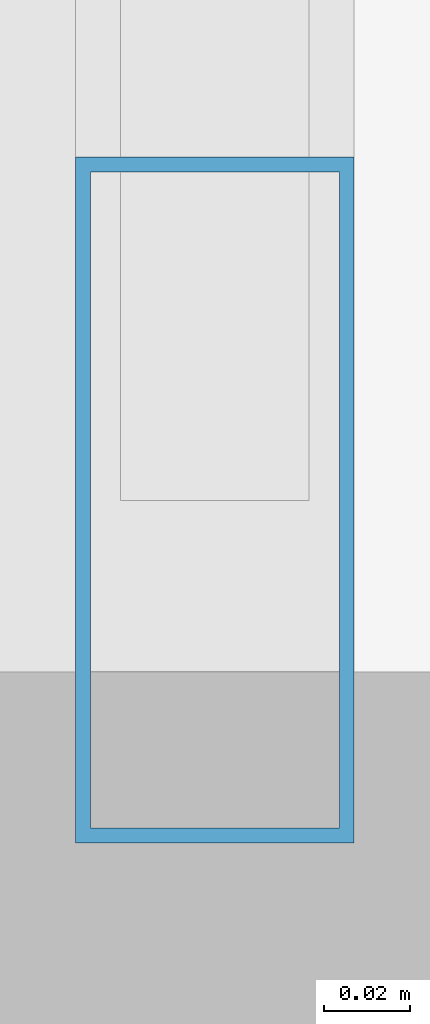
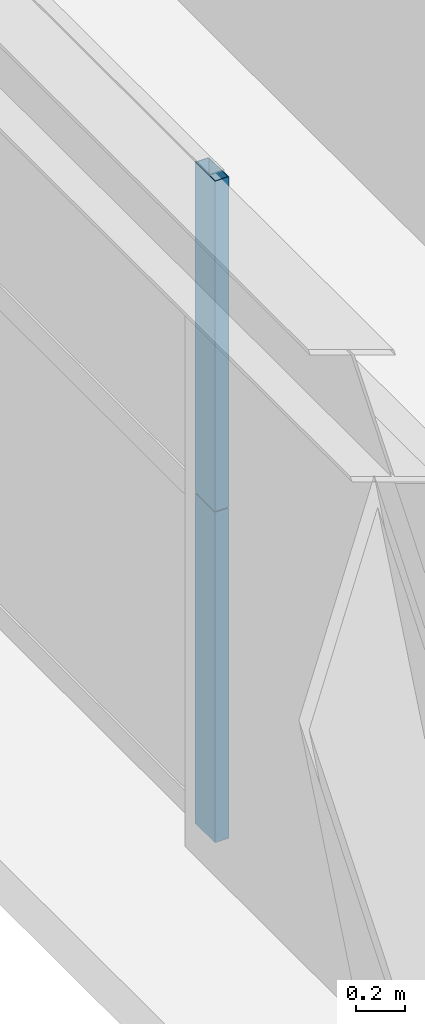
# One storey, part 7 of 42: 2 members, 1 element without a shape of its own.
"""IFC4 building model written with IfcOpenShell, lengths in metres."""

from ifc_helpers import new_model, si_unit, direction, frame, origin, origin_2d, place, context, subcontext, project, spatial, hollow_rectangle, extrude, source, transform, mapped, material, layer, layer_set, material_profile, profile_set, type_object, element, aggregate, save


model = new_model("IFC4")

# Units and contexts
model_context = context("Model", 3, precision=1e-05, world=origin(), true_north=direction((0.0, 1.0)))
body_context = subcontext(model_context, "Body", "Model", "MODEL_VIEW")
ifc_project = project(units=[si_unit("LENGTHUNIT", "METRE"), si_unit("AREAUNIT", "SQUARE_METRE"), si_unit("VOLUMEUNIT", "CUBIC_METRE"), si_unit("PLANEANGLEUNIT", "RADIAN"), si_unit("MASSUNIT", "GRAM", prefix="KILO"), si_unit("THERMODYNAMICTEMPERATUREUNIT", "KELVIN"), si_unit("POWERUNIT", "WATT")], contexts=[model_context])

# Site, building, storey
site_placement = place(None, origin())
site = spatial("IfcSite", under=ifc_project, at=site_placement, CompositionType="ELEMENT")
building_placement = place(site_placement, origin())
building = spatial("IfcBuilding", under=site, at=building_placement, Name="Yuzanri Waterfront Tower", CompositionType="ELEMENT")
storey_placement = place(building_placement, frame((0.0, 0.0, 184.5)))
storey = spatial("IfcBuildingStorey", under=building, at=storey_placement, Name="L48", CompositionType="ELEMENT", Elevation=184.5)

# Curtain wall, members
ifc_material_1 = material(Name="Anodized Architectural Bronze", Category="metal")
ifc_layer = layer(ifc_material_1, 0.159912109375)
ifc_layer_set = layer_set([ifc_layer], Name="Anodized Architectural Bronze")
curtain_wall_type = type_object("IfcCurtainWallType", Name="Anodized Bronze Mid-Rise Residential Acoustic Unitized Curtain Wall 7200", PredefinedType="NOTDEFINED", material=ifc_layer_set)
curtain_wall_placement = place(storey_placement, origin())
curtain_wall = element("IfcCurtainWall", 1, at=curtain_wall_placement, inside=storey, type_object=curtain_wall_type, Name="L48 Curtain Wall CW-L48-WL", PredefinedType="NOTDEFINED")
ifc_material_2 = material(Name="Anodized Architectural Bronze", Category="metal")
ifc_material_profile = material_profile(ifc_material_2, hollow_rectangle(XDim=0.06494140625, YDim=0.159912109375, WallThickness=0.00341796875, at=origin_2d()), Name="CWM 65x160")
ifc_profile_set = profile_set([ifc_material_profile], Name="Anodized Architectural Bronze")
member_type = type_object("IfcMemberType", Name="Anodized Bronze Upper-Zone Curtain-Wall Mullion 65x160", PredefinedType="MULLION", material=ifc_profile_set)
shared_shape = source(origin(), body_context, "Body", "SweptSolid", [
    extrude(hollow_rectangle(XDim=0.06494140625, YDim=0.159912109375, WallThickness=0.00341796875, at=origin_2d()), origin(), (0.0, 0.0, 1.0), 1.637939453125),
])
member_1_placement = place(storey_placement, frame((15.050048828125, 11.090087890625, 0.0), z_axis=(0.0, 0.0, 1.0), x_axis=(1.0, 0.0, 0.0)))
member_1 = element("IfcMember", 2, at=member_1_placement, type_object=member_type, Name="CW-L48-WL Lower Mullion 00", PredefinedType="MULLION", context=body_context, shape_type="MappedRepresentation", body=[
    mapped(shared_shape, transform((0.0, 0.0, 0.0), scale=1.0)),
])
member_2_placement = place(storey_placement, frame((15.050048828125, 11.090087890625, 1.64208984375), z_axis=(0.0, 0.0, 1.0), x_axis=(1.0, 0.0, 0.0)))
member_2 = element("IfcMember", 3, at=member_2_placement, type_object=member_type, Name="CW-L48-WL Upper Mullion 00", PredefinedType="MULLION", context=body_context, shape_type="MappedRepresentation", body=[
    mapped(shared_shape, transform((0.0, 0.0, 0.0), scale=1.0)),
])
aggregate(curtain_wall, [member_1, member_2])

save(model, "model.ifc")
